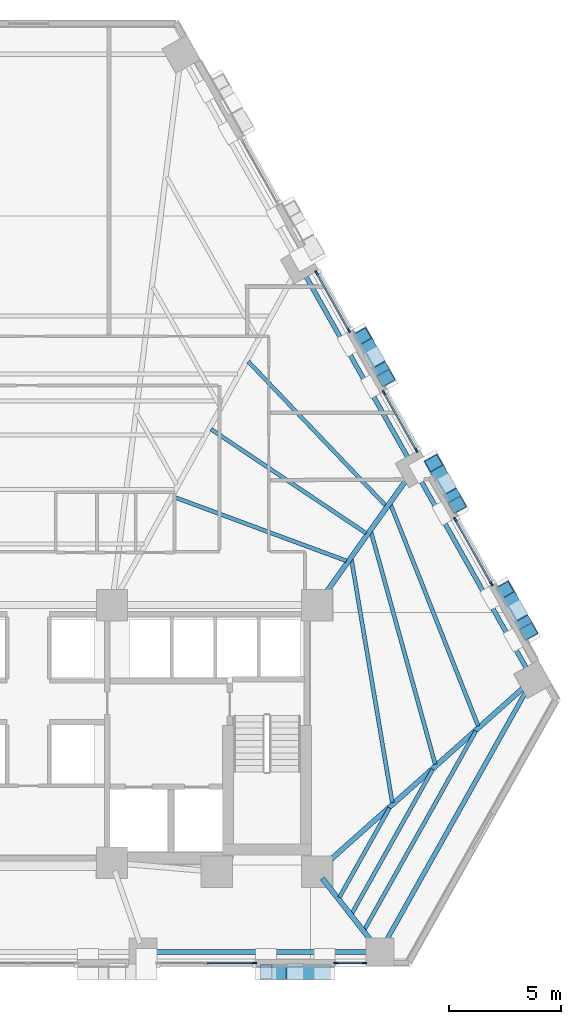
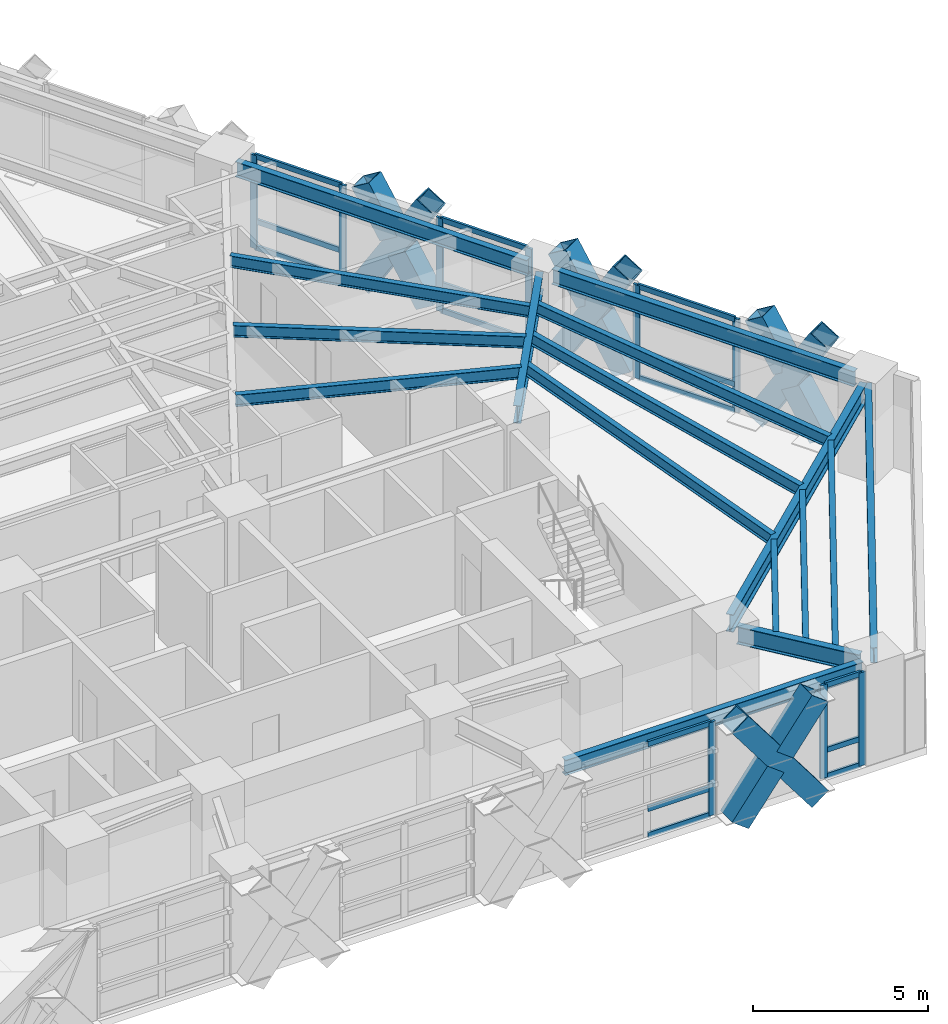
# One storey, part 4 of 13: 36 members, 16 beams, 5 elements without a shape of their own.
"""IFC4 building model written with IfcOpenShell, lengths in metres."""

from ifc_helpers import new_model, si_unit, direction, frame, origin, origin_2d, place, context, subcontext, project, spatial, rectangle, hollow_rectangle, i_section, extrude, material, material_profile, profile_set, type_object, element, aggregate, save


model = new_model("IFC4")

# Units and contexts
model_context = context("Model", 3, precision=1e-05, world=origin(), true_north=direction((0.0, 1.0)))
body_context = subcontext(model_context, "Body", "Model", "MODEL_VIEW")
ifc_project = project(units=[si_unit("LENGTHUNIT", "METRE"), si_unit("AREAUNIT", "SQUARE_METRE"), si_unit("VOLUMEUNIT", "CUBIC_METRE"), si_unit("PLANEANGLEUNIT", "RADIAN"), si_unit("MASSUNIT", "GRAM", prefix="KILO")], contexts=[model_context])

# Site, building, storey
site_placement = place(None, origin())
site = spatial("IfcSite", under=ifc_project, at=site_placement, CompositionType="ELEMENT")
building_placement = place(site_placement, origin())
building = spatial("IfcBuilding", under=site, at=building_placement, Name="Quenlor Broadcast Tower", CompositionType="ELEMENT")
storey_placement = place(building_placement, frame((0.0, 0.0, 41.60009765625)))
storey = spatial("IfcBuildingStorey", under=building, at=storey_placement, Name="L10", CompositionType="ELEMENT", Elevation=41.60009765625)

# Curtain wall, members
ifc_material_1 = material(Name="Architectural Terracotta and Low-E Glazing", Category="masonry")
curtain_wall_type = type_object("IfcCurtainWallType", Name="Unitised Terracotta Curtain Wall System Z1", PredefinedType="NOTDEFINED", material=ifc_material_1)
curtain_wall_1_placement = place(storey_placement, origin())
curtain_wall_1 = element("IfcCurtainWall", 1, at=curtain_wall_1_placement, inside=storey, type_object=curtain_wall_type, Name="L10 Curtain Wall CW1 (L10-SA-G1)", PredefinedType="NOTDEFINED")
ifc_material_2 = material(Name="Aluminium 6063-T6", Category="aluminium")
ifc_material_profile_1 = material_profile(ifc_material_2, rectangle(XDim=0.080078125, YDim=0.219970703125, at=origin_2d()))
ifc_profile_set_1 = profile_set([ifc_material_profile_1], Name="Aluminium 6063-T6 MULL80x220")
member_type_1 = type_object("IfcMemberType", Name="CW1 Aluminium Mullion MULL_CW1", PredefinedType="MULLION", material=ifc_profile_set_1)
member_1_placement = place(storey_placement, frame((15.0751953125, -20.840087890625, 0.0), z_axis=(0.0, 0.0, 1.0), x_axis=(0.0, -1.0, 0.0)))
member_1 = element("IfcMember", 2, at=member_1_placement, type_object=member_type_1, Name="CW1 mullion 1", PredefinedType="MULLION", context=body_context, shape_type="SweptSolid", body=[
    extrude(rectangle(XDim=0.080078125, YDim=0.219970703125, at=origin_2d()), origin(), (0.0, 0.0, 1.0), 3.25),
])
member_2_placement = place(storey_placement, frame((13.806884765625, -20.840087890625, 0.0), z_axis=(0.0, 0.0, 1.0), x_axis=(0.0, -1.0, 0.0)))
member_2 = element("IfcMember", 3, at=member_2_placement, type_object=member_type_1, Name="CW1 mullion 2", PredefinedType="MULLION", context=body_context, shape_type="SweptSolid", body=[
    extrude(rectangle(XDim=0.080078125, YDim=0.219970703125, at=origin_2d()), origin(), (0.0, 0.0, 1.0), 3.25),
])

# Curtain wall, member
curtain_wall_2_placement = place(storey_placement, origin())
curtain_wall_2 = element("IfcCurtainWall", 4, at=curtain_wall_2_placement, inside=storey, type_object=curtain_wall_type, Name="L10 Curtain Wall CW1 (L10-SA-G2)", PredefinedType="NOTDEFINED")
member_3_placement = place(storey_placement, frame((10.134765625, -20.840087890625, 0.0), z_axis=(0.0, 0.0, 1.0), x_axis=(0.0, -1.0, 0.0)))
member_3 = element("IfcMember", 5, at=member_3_placement, type_object=member_type_1, Name="CW1 mullion 1", PredefinedType="MULLION", context=body_context, shape_type="SweptSolid", body=[
    extrude(rectangle(XDim=0.080078125, YDim=0.219970703125, at=origin_2d()), origin(), (0.0, 0.0, 1.0), 3.25),
])

# Curtain wall, members
curtain_wall_3_placement = place(storey_placement, origin())
curtain_wall_3 = element("IfcCurtainWall", 6, at=curtain_wall_3_placement, inside=storey, type_object=curtain_wall_type, Name="L10 Curtain Wall CW1 (L10-NEC-G1)", PredefinedType="NOTDEFINED")
member_4_placement = place(storey_placement, frame((19.146484375, -0.964599609375, 0.0), z_axis=(0.0, 0.0, 1.0), x_axis=(0.871577906875, 0.49025702672, 0.0)))
member_4 = element("IfcMember", 7, at=member_4_placement, type_object=member_type_1, Name="CW1 mullion 1", PredefinedType="MULLION", context=body_context, shape_type="SweptSolid", body=[
    extrude(rectangle(XDim=0.080078125, YDim=0.219970703125, at=origin_2d()), origin(), (0.0, 0.0, 1.0), 3.25),
])
member_5_placement = place(storey_placement, frame((20.764892578125, -3.841552734375, 0.0), z_axis=(0.0, 0.0, 1.0), x_axis=(0.871577906875, 0.49025702672, 0.0)))
member_5 = element("IfcMember", 8, at=member_5_placement, type_object=member_type_1, Name="CW1 mullion 2", PredefinedType="MULLION", context=body_context, shape_type="SweptSolid", body=[
    extrude(rectangle(XDim=0.080078125, YDim=0.219970703125, at=origin_2d()), origin(), (0.0, 0.0, 1.0), 3.25),
])

curtain_wall_4_placement = place(storey_placement, origin())
curtain_wall_4 = element("IfcCurtainWall", 9, at=curtain_wall_4_placement, inside=storey, type_object=curtain_wall_type, Name="L10 Curtain Wall CW1 (L10-NE-G1)", PredefinedType="NOTDEFINED")
member_6_placement = place(storey_placement, frame((12.926025390625, 10.09423828125, 0.0), z_axis=(0.0, 0.0, 1.0), x_axis=(0.871568481465, 0.490273782815, 0.0)))
member_6 = element("IfcMember", 10, at=member_6_placement, type_object=member_type_1, Name="CW1 mullion 1", PredefinedType="MULLION", context=body_context, shape_type="SweptSolid", body=[
    extrude(rectangle(XDim=0.080078125, YDim=0.219970703125, at=origin_2d()), origin(), (0.0, 0.0, 1.0), 3.25),
])
member_7_placement = place(storey_placement, frame((14.371337890625, 7.524658203125, 0.0), z_axis=(0.0, 0.0, 1.0), x_axis=(0.871568481465, 0.490273782815, 0.0)))
member_7 = element("IfcMember", 11, at=member_7_placement, type_object=member_type_1, Name="CW1 mullion 2", PredefinedType="MULLION", context=body_context, shape_type="SweptSolid", body=[
    extrude(rectangle(XDim=0.080078125, YDim=0.219970703125, at=origin_2d()), origin(), (0.0, 0.0, 1.0), 3.25),
])

curtain_wall_5_placement = place(storey_placement, origin())
curtain_wall_5 = element("IfcCurtainWall", 12, at=curtain_wall_5_placement, inside=storey, type_object=curtain_wall_type, Name="L10 Curtain Wall CW1 (L10-NE-G2)", PredefinedType="NOTDEFINED")
member_8_placement = place(storey_placement, frame((15.94970703125, 4.718505859375, 0.0), z_axis=(0.0, 0.0, 1.0), x_axis=(0.871568481465, 0.490273782815, 0.0)))
member_8 = element("IfcMember", 13, at=member_8_placement, type_object=member_type_1, Name="CW1 mullion 1", PredefinedType="MULLION", context=body_context, shape_type="SweptSolid", body=[
    extrude(rectangle(XDim=0.080078125, YDim=0.219970703125, at=origin_2d()), origin(), (0.0, 0.0, 1.0), 3.25),
])
member_9_placement = place(storey_placement, frame((17.39501953125, 2.149169921875, 0.0), z_axis=(0.0, 0.0, 1.0), x_axis=(0.871568481465, 0.490273782815, 0.0)))
member_9 = element("IfcMember", 14, at=member_9_placement, type_object=member_type_1, Name="CW1 mullion 2", PredefinedType="MULLION", context=body_context, shape_type="SweptSolid", body=[
    extrude(rectangle(XDim=0.080078125, YDim=0.219970703125, at=origin_2d()), origin(), (0.0, 0.0, 1.0), 3.25),
])

# Member
ifc_material_3 = material(Name="Aluminium 6063-T6", Category="aluminium")
ifc_material_profile_2 = material_profile(ifc_material_3, rectangle(XDim=0.080078125, YDim=0.179931640625, at=origin_2d()))
ifc_profile_set_2 = profile_set([ifc_material_profile_2], Name="Aluminium 6063-T6 TRAN80x180")
member_type_2 = type_object("IfcMemberType", Name="CW1 Aluminium Transom TRAN_CW1", PredefinedType="USERDEFINED", material=ifc_profile_set_2)
member_10_placement = place(storey_placement, frame((15.03515625, -20.840087890625, 0.039794921875), z_axis=(-1.0, 0.0, 0.0), x_axis=(0.0, -1.0, 0.0)))
member_10 = element("IfcMember", 15, at=member_10_placement, type_object=member_type_2, Name="CW1 transom 1.1", ObjectType="TRANSOM", PredefinedType="USERDEFINED", context=body_context, shape_type="SweptSolid", body=[
    extrude(rectangle(XDim=0.080078125, YDim=0.179931640625, at=origin_2d()), origin(), (0.0, 0.0, 1.0), 1.1884765625),
])

member_11_placement = place(storey_placement, frame((15.03515625, -20.840087890625, 0.949951171875), z_axis=(-1.0, 0.0, 0.0), x_axis=(0.0, -1.0, 0.0)))
member_11 = element("IfcMember", 16, at=member_11_placement, type_object=member_type_2, Name="CW1 transom 1.2", ObjectType="TRANSOM", PredefinedType="USERDEFINED", context=body_context, shape_type="SweptSolid", body=[
    extrude(rectangle(XDim=0.080078125, YDim=0.179931640625, at=origin_2d()), origin(), (0.0, 0.0, 1.0), 1.1884765625),
])

member_12_placement = place(storey_placement, frame((15.03515625, -20.840087890625, 3.2099609375), z_axis=(-1.0, 0.0, 0.0), x_axis=(0.0, -1.0, 0.0)))
member_12 = element("IfcMember", 17, at=member_12_placement, type_object=member_type_2, Name="CW1 transom 1.3", ObjectType="TRANSOM", PredefinedType="USERDEFINED", context=body_context, shape_type="SweptSolid", body=[
    extrude(rectangle(XDim=0.080078125, YDim=0.179931640625, at=origin_2d()), origin(), (0.0, 0.0, 1.0), 1.1884765625),
])

aggregate(curtain_wall_1, [member_1, member_2, member_10, member_11, member_12])

member_13_placement = place(storey_placement, frame((10.0947265625, -20.840087890625, 0.039794921875), z_axis=(-1.0, 0.0, 0.0), x_axis=(0.0, -1.0, 0.0)))
member_13 = element("IfcMember", 18, at=member_13_placement, type_object=member_type_2, Name="CW1 transom 1.1", ObjectType="TRANSOM", PredefinedType="USERDEFINED", context=body_context, shape_type="SweptSolid", body=[
    extrude(rectangle(XDim=0.080078125, YDim=0.179931640625, at=origin_2d()), origin(), (0.0, 0.0, 1.0), 2.072021484375),
])

member_14_placement = place(storey_placement, frame((10.0947265625, -20.840087890625, 0.949951171875), z_axis=(-1.0, 0.0, 0.0), x_axis=(0.0, -1.0, 0.0)))
member_14 = element("IfcMember", 19, at=member_14_placement, type_object=member_type_2, Name="CW1 transom 1.2", ObjectType="TRANSOM", PredefinedType="USERDEFINED", context=body_context, shape_type="SweptSolid", body=[
    extrude(rectangle(XDim=0.080078125, YDim=0.179931640625, at=origin_2d()), origin(), (0.0, 0.0, 1.0), 2.072021484375),
])

member_15_placement = place(storey_placement, frame((10.0947265625, -20.840087890625, 3.2099609375), z_axis=(-1.0, 0.0, 0.0), x_axis=(0.0, -1.0, 0.0)))
member_15 = element("IfcMember", 20, at=member_15_placement, type_object=member_type_2, Name="CW1 transom 1.3", ObjectType="TRANSOM", PredefinedType="USERDEFINED", context=body_context, shape_type="SweptSolid", body=[
    extrude(rectangle(XDim=0.080078125, YDim=0.179931640625, at=origin_2d()), origin(), (0.0, 0.0, 1.0), 2.072021484375),
])

aggregate(curtain_wall_2, [member_3, member_13, member_14, member_15])

member_16_placement = place(storey_placement, frame((19.166015625, -0.99951171875, 0.039794921875), z_axis=(0.490250443683, -0.871581609758, 0.0), x_axis=(0.871581609758, 0.490250443683, 0.0)))
member_16 = element("IfcMember", 21, at=member_16_placement, type_object=member_type_2, Name="CW1 transom 1.1", ObjectType="TRANSOM", PredefinedType="USERDEFINED", context=body_context, shape_type="SweptSolid", body=[
    extrude(rectangle(XDim=0.080078125, YDim=0.179931640625, at=origin_2d()), origin(), (0.0, 0.0, 1.0), 3.220947265625),
])

member_17_placement = place(storey_placement, frame((19.166015625, -0.99951171875, 0.949951171875), z_axis=(0.490250443683, -0.871581609758, 0.0), x_axis=(0.871581609758, 0.490250443683, 0.0)))
member_17 = element("IfcMember", 22, at=member_17_placement, type_object=member_type_2, Name="CW1 transom 1.2", ObjectType="TRANSOM", PredefinedType="USERDEFINED", context=body_context, shape_type="SweptSolid", body=[
    extrude(rectangle(XDim=0.080078125, YDim=0.179931640625, at=origin_2d()), origin(), (0.0, 0.0, 1.0), 3.220947265625),
])

member_18_placement = place(storey_placement, frame((19.166015625, -0.99951171875, 3.2099609375), z_axis=(0.490250443683, -0.871581609758, 0.0), x_axis=(0.871581609758, 0.490250443683, 0.0)))
member_18 = element("IfcMember", 23, at=member_18_placement, type_object=member_type_2, Name="CW1 transom 1.3", ObjectType="TRANSOM", PredefinedType="USERDEFINED", context=body_context, shape_type="SweptSolid", body=[
    extrude(rectangle(XDim=0.080078125, YDim=0.179931640625, at=origin_2d()), origin(), (0.0, 0.0, 1.0), 3.220947265625),
])

aggregate(curtain_wall_3, [member_4, member_5, member_16, member_17, member_18])

member_19_placement = place(storey_placement, frame((12.945556640625, 10.059326171875, 0.039794921875), z_axis=(0.490232948684, -0.871591450179, 0.0), x_axis=(0.871591450179, 0.490232948684, 0.0)))
member_19 = element("IfcMember", 24, at=member_19_placement, type_object=member_type_2, Name="CW1 transom 1.1", ObjectType="TRANSOM", PredefinedType="USERDEFINED", context=body_context, shape_type="SweptSolid", body=[
    extrude(rectangle(XDim=0.080078125, YDim=0.179931640625, at=origin_2d()), origin(), (0.0, 0.0, 1.0), 2.867919921875),
])

member_20_placement = place(storey_placement, frame((12.945556640625, 10.059326171875, 0.949951171875), z_axis=(0.490232948684, -0.871591450179, 0.0), x_axis=(0.871591450179, 0.490232948684, 0.0)))
member_20 = element("IfcMember", 25, at=member_20_placement, type_object=member_type_2, Name="CW1 transom 1.2", ObjectType="TRANSOM", PredefinedType="USERDEFINED", context=body_context, shape_type="SweptSolid", body=[
    extrude(rectangle(XDim=0.080078125, YDim=0.179931640625, at=origin_2d()), origin(), (0.0, 0.0, 1.0), 2.867919921875),
])

member_21_placement = place(storey_placement, frame((12.945556640625, 10.059326171875, 3.2099609375), z_axis=(0.490232948684, -0.871591450179, 0.0), x_axis=(0.871591450179, 0.490232948684, 0.0)))
member_21 = element("IfcMember", 26, at=member_21_placement, type_object=member_type_2, Name="CW1 transom 1.3", ObjectType="TRANSOM", PredefinedType="USERDEFINED", context=body_context, shape_type="SweptSolid", body=[
    extrude(rectangle(XDim=0.080078125, YDim=0.179931640625, at=origin_2d()), origin(), (0.0, 0.0, 1.0), 2.867919921875),
])

aggregate(curtain_wall_4, [member_6, member_7, member_19, member_20, member_21])

member_22_placement = place(storey_placement, frame((15.96923828125, 4.68359375, 0.039794921875), z_axis=(0.490297611432, -0.871555076988, 0.0), x_axis=(0.871555076988, 0.490297611432, 0.0)))
member_22 = element("IfcMember", 27, at=member_22_placement, type_object=member_type_2, Name="CW1 transom 1.1", ObjectType="TRANSOM", PredefinedType="USERDEFINED", context=body_context, shape_type="SweptSolid", body=[
    extrude(rectangle(XDim=0.080078125, YDim=0.179931640625, at=origin_2d()), origin(), (0.0, 0.0, 1.0), 2.8681640625),
])

member_23_placement = place(storey_placement, frame((15.96923828125, 4.68359375, 0.949951171875), z_axis=(0.490297611432, -0.871555076988, 0.0), x_axis=(0.871555076988, 0.490297611432, 0.0)))
member_23 = element("IfcMember", 28, at=member_23_placement, type_object=member_type_2, Name="CW1 transom 1.2", ObjectType="TRANSOM", PredefinedType="USERDEFINED", context=body_context, shape_type="SweptSolid", body=[
    extrude(rectangle(XDim=0.080078125, YDim=0.179931640625, at=origin_2d()), origin(), (0.0, 0.0, 1.0), 2.8681640625),
])

member_24_placement = place(storey_placement, frame((15.96923828125, 4.68359375, 3.2099609375), z_axis=(0.490297611432, -0.871555076988, 0.0), x_axis=(0.871555076988, 0.490297611432, 0.0)))
member_24 = element("IfcMember", 29, at=member_24_placement, type_object=member_type_2, Name="CW1 transom 1.3", ObjectType="TRANSOM", PredefinedType="USERDEFINED", context=body_context, shape_type="SweptSolid", body=[
    extrude(rectangle(XDim=0.080078125, YDim=0.179931640625, at=origin_2d()), origin(), (0.0, 0.0, 1.0), 2.8681640625),
])

aggregate(curtain_wall_5, [member_8, member_9, member_22, member_23, member_24])

# Members
ifc_material_4 = material(Name="Steel S355", Category="steel")
ifc_material_profile_3 = material_profile(ifc_material_4, hollow_rectangle(XDim=0.679931640625, YDim=0.679931640625, WallThickness=0.034912109375, at=origin_2d()))
ifc_profile_set_3 = profile_set([ifc_material_profile_3], Name="Steel S355 RHS680x680x35")
member_type_3 = type_object("IfcMemberType", Name="Perimeter Diagonal Lattice Brace Z1 Steel S355 RHS680x35", PredefinedType="BRACE", material=ifc_profile_set_3)
member_25_placement = place(storey_placement, frame((13.284912109375, -21.235107421875, -0.1201171875), z_axis=(-0.60049964856, 0.0, 0.799625019668), x_axis=(0.0, -1.0, 0.0)))
element("IfcMember", 30, at=member_25_placement, inside=storey, type_object=member_type_3, Name="L10 Perimeter Diamond Lattice S-C1XA", PredefinedType="BRACE", context=body_context, shape_type="SweptSolid", body=[
    extrude(hollow_rectangle(XDim=0.679931640625, YDim=0.679931640625, WallThickness=0.034912109375, at=origin_2d()), origin(), (0.0, 0.0, 1.0), 4.376953125),
])
for number, where, z_axis, x_axis, name in (
    (31, (10.656494140625, -21.235107421875, -0.1201171875), (0.600503659272, 0.0, 0.799622007701), (0.0, 1.0, 0.0), "L10 Perimeter Diamond Lattice S-C1XB1"),
    (32, (12.120849609375, -21.235107421875, 1.829833984375), (0.600503659272, 0.0, 0.799622007701), (0.0, 1.0, 0.0), "L10 Perimeter Diamond Lattice S-C1XB2"),
):
    element("IfcMember", number, at=place(storey_placement, frame(where, z_axis=z_axis, x_axis=x_axis)), inside=storey, type_object=member_type_3, Name=name, PredefinedType="BRACE", context=body_context, shape_type="SweptSolid", body=[
        extrude(hollow_rectangle(XDim=0.679931640625, YDim=0.679931640625, WallThickness=0.034912109375, at=origin_2d()), origin(), (0.0, 0.0, 1.0), 1.9384765625),
    ])
member_26_placement = place(storey_placement, frame((14.978515625, 7.251220703125, -0.1201171875), z_axis=(0.256368393635, -0.455838699906, 0.852341672343), x_axis=(0.871608931644, 0.490201866865, 0.0)))
element("IfcMember", 33, at=member_26_placement, inside=storey, type_object=member_type_3, Name="L10 Perimeter Diamond Lattice NE-C3XA", PredefinedType="BRACE", context=body_context, shape_type="SweptSolid", body=[
    extrude(hollow_rectangle(XDim=0.679931640625, YDim=0.679931640625, WallThickness=0.034912109375, at=origin_2d()), origin(), (0.0, 0.0, 1.0), 4.1064453125),
])
for number, where, z_axis, x_axis, name in (
    (34, (16.03125, 5.37939453125, -0.1201171875), (-0.256435894674, 0.455870991217, 0.852304095549), (-0.871568623966, -0.49027352949, 0.0), "L10 Perimeter Diamond Lattice NE-C3XB1"),
    (35, (15.440673828125, 6.42919921875, 1.843017578125), (-0.256309397679, 0.455886815629, 0.852333681135), (-0.871679226863, -0.490076856683, 0.0), "L10 Perimeter Diamond Lattice NE-C3XB2"),
):
    element("IfcMember", number, at=place(storey_placement, frame(where, z_axis=z_axis, x_axis=x_axis)), inside=storey, type_object=member_type_3, Name=name, PredefinedType="BRACE", context=body_context, shape_type="SweptSolid", body=[
        extrude(hollow_rectangle(XDim=0.679931640625, YDim=0.679931640625, WallThickness=0.034912109375, at=origin_2d()), origin(), (0.0, 0.0, 1.0), 1.80322265625),
    ])
member_27_placement = place(storey_placement, frame((18.175048828125, 1.56787109375, -0.1201171875), z_axis=(0.256430888508, -0.455784649039, 0.8523517778), x_axis=(0.871533027316, 0.490336804959, 0.0)))
element("IfcMember", 36, at=member_27_placement, inside=storey, type_object=member_type_3, Name="L10 Perimeter Diamond Lattice NE-C4XA", PredefinedType="BRACE", context=body_context, shape_type="SweptSolid", body=[
    extrude(hollow_rectangle(XDim=0.679931640625, YDim=0.679931640625, WallThickness=0.034912109375, at=origin_2d()), origin(), (0.0, 0.0, 1.0), 4.106201171875),
])
member_28_placement = place(storey_placement, frame((19.22802734375, -0.3037109375, -0.1201171875), z_axis=(-0.256435894674, 0.455870991217, 0.852304095549), x_axis=(-0.871568623966, -0.49027352949, 0.0)))
element("IfcMember", 37, at=member_28_placement, inside=storey, type_object=member_type_3, Name="L10 Perimeter Diamond Lattice NE-C4XB1", PredefinedType="BRACE", context=body_context, shape_type="SweptSolid", body=[
    extrude(hollow_rectangle(XDim=0.679931640625, YDim=0.679931640625, WallThickness=0.034912109375, at=origin_2d()), origin(), (0.0, 0.0, 1.0), 1.80322265625),
])
member_29_placement = place(storey_placement, frame((18.637451171875, 0.74609375, 1.843017578125), z_axis=(-0.256451721554, 0.455763724789, 0.852356698618), x_axis=(-0.871506382136, -0.490384161547, 0.0)))
element("IfcMember", 38, at=member_29_placement, inside=storey, type_object=member_type_3, Name="L10 Perimeter Diamond Lattice NE-C4XB2", PredefinedType="BRACE", context=body_context, shape_type="SweptSolid", body=[
    extrude(hollow_rectangle(XDim=0.679931640625, YDim=0.679931640625, WallThickness=0.034912109375, at=origin_2d()), origin(), (0.0, 0.0, 1.0), 1.802978515625),
])
member_30_placement = place(storey_placement, frame((21.371826171875, -4.115234375, -0.1201171875), z_axis=(0.256430888508, -0.455784649039, 0.8523517778), x_axis=(0.871533027316, 0.490336804959, 0.0)))
element("IfcMember", 39, at=member_30_placement, inside=storey, type_object=member_type_3, Name="L10 Perimeter Diamond Lattice NE-C5XA", PredefinedType="BRACE", context=body_context, shape_type="SweptSolid", body=[
    extrude(hollow_rectangle(XDim=0.679931640625, YDim=0.679931640625, WallThickness=0.034912109375, at=origin_2d()), origin(), (0.0, 0.0, 1.0), 4.106201171875),
])
for number, where, z_axis, x_axis, name in (
    (40, (22.4248046875, -5.98681640625, -0.1201171875), (-0.256451721554, 0.455763724789, 0.852356698618), (-0.871506382136, -0.490384161547, 0.0), "L10 Perimeter Diamond Lattice NE-C5XB1"),
    (41, (21.834228515625, -4.93701171875, 1.843017578125), (-0.256451721554, 0.455763724789, 0.852356698618), (-0.871506382136, -0.490384161547, 0.0), "L10 Perimeter Diamond Lattice NE-C5XB2"),
):
    element("IfcMember", number, at=place(storey_placement, frame(where, z_axis=z_axis, x_axis=x_axis)), inside=storey, type_object=member_type_3, Name=name, PredefinedType="BRACE", context=body_context, shape_type="SweptSolid", body=[
        extrude(hollow_rectangle(XDim=0.679931640625, YDim=0.679931640625, WallThickness=0.034912109375, at=origin_2d()), origin(), (0.0, 0.0, 1.0), 1.802978515625),
    ])

# Beams
ifc_material_5 = material(Name="Steel S355", Category="steel")
ifc_material_profile_4 = material_profile(ifc_material_5, i_section(OverallWidth=0.208984375, OverallDepth=0.532958984375, WebThickness=0.01025390625, FlangeThickness=0.015625, FilletRadius=0.013916015625, at=origin_2d()))
ifc_profile_set_4 = profile_set([ifc_material_profile_4], Name="Steel S355 530UB92.4")
beam_type_1 = type_object("IfcBeamType", Name="Perimeter Spandrel Beam Z1 Steel S355 530UB92.4", PredefinedType="SPANDREL", material=ifc_profile_set_4)
beam_1_placement = place(storey_placement, frame((5.55078125, -20.35009765625, 2.9833984375), z_axis=(1.0, 0.0, 0.0), x_axis=(0.0, 1.0, 0.0)))
element("IfcBeam", 42, at=beam_1_placement, inside=storey, type_object=beam_type_1, Name="L10 Spandrel Beam S3-S4", PredefinedType="SPANDREL", context=body_context, shape_type="SweptSolid", body=[
    extrude(i_section(OverallWidth=0.208984375, OverallDepth=0.532958984375, WebThickness=0.01025390625, FlangeThickness=0.015625, FilletRadius=0.013916015625, at=origin_2d()), origin(), (0.0, 0.0, 1.0), 9.80419921875),
])
beam_2_placement = place(storey_placement, frame((15.965576171875, -19.992431640625, 2.9833984375), z_axis=(0.489090917871, 0.87223280955, 0.0), x_axis=(-0.87223280955, 0.489090917871, 0.0)))
element("IfcBeam", 43, at=beam_2_placement, inside=storey, type_object=beam_type_1, Name="L10 Spandrel Beam S4-NE1", PredefinedType="SPANDREL", context=body_context, shape_type="SweptSolid", body=[
    extrude(i_section(OverallWidth=0.208984375, OverallDepth=0.532958984375, WebThickness=0.01025390625, FlangeThickness=0.015625, FilletRadius=0.013916015625, at=origin_2d()), origin(), (0.0, 0.0, 1.0), 13.187744140625),
])
beam_3_placement = place(storey_placement, frame((22.4150390625, -7.77490234375, 2.9833984375), z_axis=(-0.490257767622, 0.871577490121, 0.0), x_axis=(-0.871577490121, -0.490257767622, 0.0)))
element("IfcBeam", 44, at=beam_3_placement, inside=storey, type_object=beam_type_1, Name="L10 Spandrel Beam NE1-NE2", PredefinedType="SPANDREL", context=body_context, shape_type="SweptSolid", body=[
    extrude(i_section(OverallWidth=0.208984375, OverallDepth=0.532958984375, WebThickness=0.01025390625, FlangeThickness=0.015625, FilletRadius=0.013916015625, at=origin_2d()), origin(), (0.0, 0.0, 1.0), 10.015380859375),
])
beam_4_placement = place(storey_placement, frame((17.102783203125, 1.6689453125, 2.9833984375), z_axis=(-0.490257642051, 0.871577560755, 0.0), x_axis=(-0.871577560755, -0.490257642051, 0.0)))
element("IfcBeam", 45, at=beam_4_placement, inside=storey, type_object=beam_type_1, Name="L10 Spandrel Beam NE2-NE3", PredefinedType="SPANDREL", context=body_context, shape_type="SweptSolid", body=[
    extrude(i_section(OverallWidth=0.208984375, OverallDepth=0.532958984375, WebThickness=0.01025390625, FlangeThickness=0.015625, FilletRadius=0.013916015625, at=origin_2d()), origin(), (0.0, 0.0, 1.0), 9.665771484375),
])
ifc_material_6 = material(Name="Steel S355", Category="steel")
ifc_material_profile_5 = material_profile(ifc_material_6, i_section(OverallWidth=0.177978515625, OverallDepth=0.406494140625, WebThickness=0.0078125, FlangeThickness=0.0126953125, FilletRadius=0.011474609375, at=origin_2d()))
ifc_profile_set_5 = profile_set([ifc_material_profile_5], Name="Steel S355 410UB59.7")
beam_type_2 = type_object("IfcBeamType", Name="Tower Composite Joist Z1 Steel S355 410UB59.7", PredefinedType="JOIST", material=ifc_profile_set_5)
beam_5_placement = place(storey_placement, frame((14.268310546875, -2.81640625, 3.046630859375), z_axis=(-0.937824633945, 0.347109429383, 0.0), x_axis=(-0.347109429383, -0.937824633945, 0.0)))
element("IfcBeam", 46, at=beam_5_placement, inside=storey, type_object=beam_type_2, Name="L10 Secondary Composite Joist 10", PredefinedType="JOIST", context=body_context, shape_type="SweptSolid", body=[
    extrude(i_section(OverallWidth=0.177978515625, OverallDepth=0.406494140625, WebThickness=0.0078125, FlangeThickness=0.0126953125, FilletRadius=0.011474609375, at=origin_2d()), origin(), (0.0, 0.0, 1.0), 8.26513671875),
])
beam_6_placement = place(storey_placement, frame((15.147705078125, -1.577392578125, 3.046630859375), z_axis=(-0.830625844363, 0.556830949819, 0.0), x_axis=(-0.556830949819, -0.830625844363, 0.0)))
element("IfcBeam", 47, at=beam_6_placement, inside=storey, type_object=beam_type_2, Name="L10 Secondary Composite Joist 11", PredefinedType="JOIST", context=body_context, shape_type="SweptSolid", body=[
    extrude(i_section(OverallWidth=0.177978515625, OverallDepth=0.406494140625, WebThickness=0.0078125, FlangeThickness=0.0126953125, FilletRadius=0.011474609375, at=origin_2d()), origin(), (0.0, 0.0, 1.0), 8.374755859375),
])
beam_7_placement = place(storey_placement, frame((16.029541015625, -0.341796875, 3.046630859375), z_axis=(-0.690241086162, 0.723579465556, 0.0), x_axis=(-0.723579465556, -0.690241086162, 0.0)))
element("IfcBeam", 48, at=beam_7_placement, inside=storey, type_object=beam_type_2, Name="L10 Secondary Composite Joist 12", PredefinedType="JOIST", context=body_context, shape_type="SweptSolid", body=[
    extrude(i_section(OverallWidth=0.177978515625, OverallDepth=0.406494140625, WebThickness=0.0078125, FlangeThickness=0.0126953125, FilletRadius=0.011474609375, at=origin_2d()), origin(), (0.0, 0.0, 1.0), 8.93408203125),
])
beam_8_placement = place(storey_placement, frame((16.31982421875, -13.65478515625, 3.046630859375), z_axis=(-0.16559360599, 0.986194077074, 0.0), x_axis=(-0.986194077074, -0.16559360599, 0.0)))
element("IfcBeam", 49, at=beam_8_placement, inside=storey, type_object=beam_type_2, Name="L10 Secondary Composite Joist 16", PredefinedType="JOIST", context=body_context, shape_type="SweptSolid", body=[
    extrude(i_section(OverallWidth=0.177978515625, OverallDepth=0.406494140625, WebThickness=0.0078125, FlangeThickness=0.0126953125, FilletRadius=0.011474609375, at=origin_2d()), origin(), (0.0, 0.0, 1.0), 11.06787109375),
])
beam_9_placement = place(storey_placement, frame((18.2451171875, -11.93310546875, 3.046630859375), z_axis=(-0.266390054368, 0.963865311615, 0.0), x_axis=(-0.963865311615, -0.266390054368, 0.0)))
element("IfcBeam", 50, at=beam_9_placement, inside=storey, type_object=beam_type_2, Name="L10 Secondary Composite Joist 17", PredefinedType="JOIST", context=body_context, shape_type="SweptSolid", body=[
    extrude(i_section(OverallWidth=0.177978515625, OverallDepth=0.406494140625, WebThickness=0.0078125, FlangeThickness=0.0126953125, FilletRadius=0.011474609375, at=origin_2d()), origin(), (0.0, 0.0, 1.0), 10.80810546875),
])
beam_10_placement = place(storey_placement, frame((20.170166015625, -10.212158203125, 3.046630859375), z_axis=(-0.367884833597, 0.929871361646, 0.0), x_axis=(-0.929871361646, -0.367884833597, 0.0)))
element("IfcBeam", 51, at=beam_10_placement, inside=storey, type_object=beam_type_2, Name="L10 Secondary Composite Joist 18", PredefinedType="JOIST", context=body_context, shape_type="SweptSolid", body=[
    extrude(i_section(OverallWidth=0.177978515625, OverallDepth=0.406494140625, WebThickness=0.0078125, FlangeThickness=0.0126953125, FilletRadius=0.011474609375, at=origin_2d()), origin(), (0.0, 0.0, 1.0), 10.669921875),
])
beam_11_placement = place(storey_placement, frame((13.9462890625, -17.904296875, 3.046630859375), z_axis=(0.489062021968, 0.872249011848, 0.0), x_axis=(-0.872249011848, 0.489062021968, 0.0)))
element("IfcBeam", 52, at=beam_11_placement, inside=storey, type_object=beam_type_2, Name="L10 Secondary Composite Joist 22", PredefinedType="JOIST", context=body_context, shape_type="SweptSolid", body=[
    extrude(i_section(OverallWidth=0.177978515625, OverallDepth=0.406494140625, WebThickness=0.0078125, FlangeThickness=0.0126953125, FilletRadius=0.011474609375, at=origin_2d()), origin(), (0.0, 0.0, 1.0), 4.6025390625),
])
beam_12_placement = place(storey_placement, frame((14.50927734375, -18.624267578125, 3.046630859375), z_axis=(0.489088249322, 0.872234305892, 0.0), x_axis=(-0.872234305892, 0.489088249322, 0.0)))
element("IfcBeam", 53, at=beam_12_placement, inside=storey, type_object=beam_type_2, Name="L10 Secondary Composite Joist 23", PredefinedType="JOIST", context=body_context, shape_type="SweptSolid", body=[
    extrude(i_section(OverallWidth=0.177978515625, OverallDepth=0.406494140625, WebThickness=0.0078125, FlangeThickness=0.0126953125, FilletRadius=0.011474609375, at=origin_2d()), origin(), (0.0, 0.0, 1.0), 7.404296875),
])
beam_13_placement = place(storey_placement, frame((15.072265625, -19.34423828125, 3.046630859375), z_axis=(0.489081877778, 0.872237878579, 0.0), x_axis=(-0.872237878579, 0.489081877778, 0.0)))
element("IfcBeam", 54, at=beam_13_placement, inside=storey, type_object=beam_type_2, Name="L10 Secondary Composite Joist 24", PredefinedType="JOIST", context=body_context, shape_type="SweptSolid", body=[
    extrude(i_section(OverallWidth=0.177978515625, OverallDepth=0.406494140625, WebThickness=0.0078125, FlangeThickness=0.0126953125, FilletRadius=0.011474609375, at=origin_2d()), origin(), (0.0, 0.0, 1.0), 10.205810546875),
])
ifc_material_7 = material(Name="Steel S355", Category="steel")
ifc_material_profile_6 = material_profile(ifc_material_7, i_section(OverallWidth=0.22900390625, OverallDepth=0.611572265625, WebThickness=0.011962890625, FlangeThickness=0.01953125, FilletRadius=0.013916015625, at=origin_2d()))
ifc_profile_set_6 = profile_set([ifc_material_profile_6], Name="Steel S355 610UB125")
beam_type_3 = type_object("IfcBeamType", Name="Tower Primary Floor Beam Z1 Steel S355 610UB125", PredefinedType="BEAM", material=ifc_profile_set_6)
beam_14_placement = place(storey_placement, frame((15.512451171875, -20.027099609375, 2.944091796875), z_axis=(-0.615968610193, 0.78777069713, 0.0), x_axis=(-0.78777069713, -0.615968610193, 0.0)))
element("IfcBeam", 55, at=beam_14_placement, inside=storey, type_object=beam_type_3, Name="L10 Primary Radial Beam S4", PredefinedType="BEAM", context=body_context, shape_type="SweptSolid", body=[
    extrude(i_section(OverallWidth=0.22900390625, OverallDepth=0.611572265625, WebThickness=0.011962890625, FlangeThickness=0.01953125, FilletRadius=0.013916015625, at=origin_2d()), origin(), (0.0, 0.0, 1.0), 3.780029296875),
])
beam_15_placement = place(storey_placement, frame((22.31005859375, -8.40478515625, 2.944091796875), z_axis=(-0.746413754585, -0.665482161268, 0.0), x_axis=(0.665482161268, -0.746413754585, 0.0)))
element("IfcBeam", 56, at=beam_15_placement, inside=storey, type_object=beam_type_3, Name="L10 Primary Radial Beam NE1", PredefinedType="BEAM", context=body_context, shape_type="SweptSolid", body=[
    extrude(i_section(OverallWidth=0.22900390625, OverallDepth=0.611572265625, WebThickness=0.011962890625, FlangeThickness=0.01953125, FilletRadius=0.013916015625, at=origin_2d()), origin(), (0.0, 0.0, 1.0), 12.159912109375),
])
beam_16_placement = place(storey_placement, frame((17.06591796875, 0.977783203125, 2.944091796875), z_axis=(-0.580212680853, -0.814465005373, 0.0), x_axis=(0.814465005373, -0.580212680853, 0.0)))
element("IfcBeam", 57, at=beam_16_placement, inside=storey, type_object=beam_type_3, Name="L10 Primary Radial Beam NE2", PredefinedType="BEAM", context=body_context, shape_type="SweptSolid", body=[
    extrude(i_section(OverallWidth=0.22900390625, OverallDepth=0.611572265625, WebThickness=0.011962890625, FlangeThickness=0.01953125, FilletRadius=0.013916015625, at=origin_2d()), origin(), (0.0, 0.0, 1.0), 6.7138671875),
])

save(model, "model.ifc")
